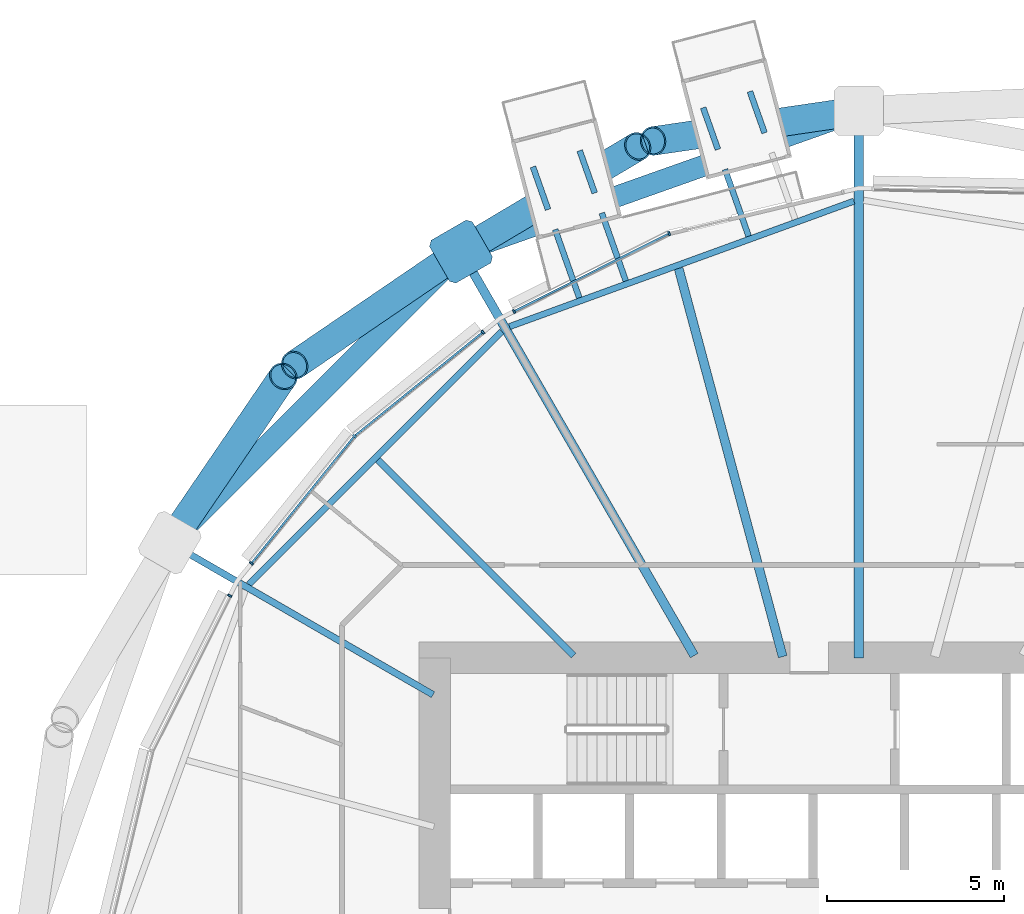
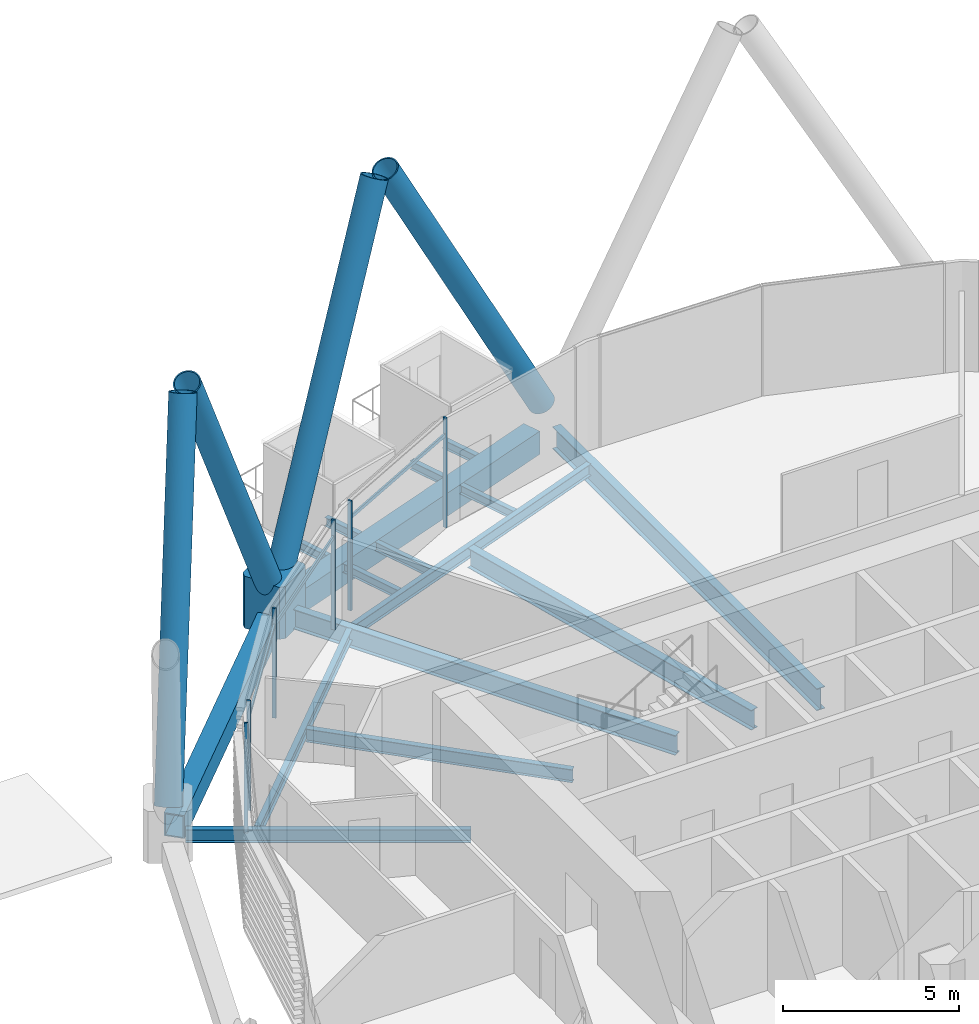
# One storey, part 18 of 34: 16 beams, 14 members, 1 element without a shape of its own.
"""IFC4 building model written with IfcOpenShell, lengths in metres."""

from ifc_helpers import new_model, si_unit, direction, frame, origin, origin_2d, place, context, subcontext, project, spatial, polyline, rectangle, hollow_rectangle, hollow_circle, i_section, outline, extrude, material, material_profile, profile_set, type_object, element, aggregate, save


model = new_model("IFC4")

# Units and contexts
model_context = context("Model", 3, precision=1e-05, world=origin(), true_north=direction((0.0, 1.0)))
body_context = subcontext(model_context, "Body", "Model", "MODEL_VIEW")
ifc_project = project(units=[si_unit("LENGTHUNIT", "METRE"), si_unit("AREAUNIT", "SQUARE_METRE"), si_unit("VOLUMEUNIT", "CUBIC_METRE"), si_unit("PLANEANGLEUNIT", "RADIAN"), si_unit("MASSUNIT", "GRAM", prefix="KILO")], contexts=[model_context])

# Site, building, storey
site_placement = place(None, origin())
site = spatial("IfcSite", under=ifc_project, at=site_placement, CompositionType="ELEMENT")
building_placement = place(site_placement, origin())
building = spatial("IfcBuilding", under=site, at=building_placement, Name="Rimbun Link Towers", CompositionType="ELEMENT")
storey_placement = place(building_placement, frame((0.0, 0.0, 41.39990234375)))
storey = spatial("IfcBuildingStorey", under=building, at=storey_placement, Name="L09", CompositionType="ELEMENT", Elevation=41.39990234375)

# Curtain wall, members
ifc_material_1 = material(Name="Aluminium 6063-T6 and low-iron glass", Category="aluminium")
curtain_wall_type = type_object("IfcCurtainWallType", Name="CW1 unitised vision wall", PredefinedType="NOTDEFINED", material=ifc_material_1)
curtain_wall_placement = place(storey_placement, origin())
curtain_wall = element("IfcCurtainWall", 1, at=curtain_wall_placement, inside=storey, type_object=curtain_wall_type, Name="CW1 L09 T2", PredefinedType="NOTDEFINED")
ifc_material_2 = material(Name="Aluminium 6063-T6", Category="aluminium")
ifc_material_profile_1 = material_profile(ifc_material_2, rectangle(XDim=0.1201171875, YDim=0.06005859375, at=origin_2d()), Name="MULLION 60X120")
ifc_profile_set_1 = profile_set([ifc_material_profile_1], Name="Aluminium 6063-T6")
member_type_1 = type_object("IfcMemberType", Name="CW1 mullion 60X120", PredefinedType="MULLION", material=ifc_profile_set_1)
member_1_placement = place(storey_placement, frame((26.383056640625, 20.009521484375, 0.0), z_axis=(0.0, 0.0, 1.0), x_axis=(-0.342965819961, 0.939347883555, 0.0)))
member_1 = element("IfcMember", 2, at=member_1_placement, type_object=member_type_1, Name="CW1 mullion", PredefinedType="MULLION", context=body_context, shape_type="SweptSolid", body=[
    extrude(rectangle(XDim=0.1201171875, YDim=0.06005859375, at=origin_2d()), origin(), (0.0, 0.0, 1.0), 3.800048828125),
])
member_2_placement = place(storey_placement, frame((21.992919921875, 17.805419921875, 0.0), z_axis=(0.0, 0.0, 1.0), x_axis=(-0.448766443776, 0.893649080423, 0.0)))
member_2 = element("IfcMember", 3, at=member_2_placement, type_object=member_type_1, Name="CW1 mullion", PredefinedType="MULLION", context=body_context, shape_type="SweptSolid", body=[
    extrude(rectangle(XDim=0.1201171875, YDim=0.06005859375, at=origin_2d()), origin(), (0.0, 0.0, 1.0), 3.800048828125),
])
member_3_placement = place(storey_placement, frame((17.475830078125, 14.274169921875, 0.0), z_axis=(0.0, 0.0, 1.0), x_axis=(-0.707106781187, 0.707106781187, 0.0)))
member_3 = element("IfcMember", 4, at=member_3_placement, type_object=member_type_1, Name="CW1 mullion", PredefinedType="MULLION", context=body_context, shape_type="SweptSolid", body=[
    extrude(rectangle(XDim=0.1201171875, YDim=0.06005859375, at=origin_2d()), origin(), (0.0, 0.0, 1.0), 3.800048828125),
])
member_4_placement = place(storey_placement, frame((21.113525390625, 17.218994140625, 0.0), z_axis=(0.0, 0.0, 1.0), x_axis=(-0.629154590729, 0.777280194631, 0.0)))
member_4 = element("IfcMember", 5, at=member_4_placement, type_object=member_type_1, Name="CW1 mullion", PredefinedType="MULLION", context=body_context, shape_type="SweptSolid", body=[
    extrude(rectangle(XDim=0.1201171875, YDim=0.06005859375, at=origin_2d()), origin(), (0.0, 0.0, 1.0), 3.800048828125),
])
member_5_placement = place(storey_placement, frame((14.5625, 10.67529296875, 0.0), z_axis=(0.0, 0.0, 1.0), x_axis=(-0.777280194631, 0.629154590729, 0.0)))
member_5 = element("IfcMember", 6, at=member_5_placement, type_object=member_type_1, Name="CW1 mullion", PredefinedType="MULLION", context=body_context, shape_type="SweptSolid", body=[
    extrude(rectangle(XDim=0.1201171875, YDim=0.06005859375, at=origin_2d()), origin(), (0.0, 0.0, 1.0), 3.800048828125),
])
member_6_placement = place(storey_placement, frame((13.944580078125, 9.757080078125, 0.0), z_axis=(0.0, 0.0, 1.0), x_axis=(-0.893649080423, 0.448766443776, 0.0)))
member_6 = element("IfcMember", 7, at=member_6_placement, type_object=member_type_1, Name="CW1 mullion", PredefinedType="MULLION", context=body_context, shape_type="SweptSolid", body=[
    extrude(rectangle(XDim=0.1201171875, YDim=0.06005859375, at=origin_2d()), origin(), (0.0, 0.0, 1.0), 3.800048828125),
])
ifc_material_3 = material(Name="Aluminium 6063-T6", Category="aluminium")
ifc_material_profile_2 = material_profile(ifc_material_3, rectangle(XDim=0.06005859375, YDim=0.1201171875, at=origin_2d()), Name="TRANSOM 60X120")
ifc_profile_set_2 = profile_set([ifc_material_profile_2], Name="Aluminium 6063-T6")
member_type_2 = type_object("IfcMemberType", Name="CW1 transom 60X120", PredefinedType="USERDEFINED", material=ifc_profile_set_2)
member_7_placement = place(storey_placement, frame((22.0205078125, 17.817138671875, 3.2001953125), z_axis=(0.893670146063, 0.448724492351, 0.0), x_axis=(-0.448724492351, 0.893670146063, 0.0)))
member_7 = element("IfcMember", 8, at=member_7_placement, type_object=member_type_2, Name="CW1 transom", ObjectType="TRANSOM", PredefinedType="USERDEFINED", context=body_context, shape_type="SweptSolid", body=[
    extrude(rectangle(XDim=0.06005859375, YDim=0.1201171875, at=origin_2d()), origin(), (0.0, 0.0, 1.0), 4.845458984375),
])
member_8_placement = place(storey_placement, frame((17.505126953125, 14.295654296875, 3.2001953125), z_axis=(0.777273212237, 0.629163216931, 0.0), x_axis=(-0.629163216931, 0.777273212237, 0.0)))
member_8 = element("IfcMember", 9, at=member_8_placement, type_object=member_type_2, Name="CW1 transom", ObjectType="TRANSOM", PredefinedType="USERDEFINED", context=body_context, shape_type="SweptSolid", body=[
    extrude(rectangle(XDim=0.06005859375, YDim=0.1201171875, at=origin_2d()), origin(), (0.0, 0.0, 1.0), 4.61376953125),
])
member_9_placement = place(storey_placement, frame((14.5830078125, 10.697509765625, 3.2001953125), z_axis=(0.629153599688, 0.777280996809, 0.0), x_axis=(-0.777280996809, 0.629153599688, 0.0)))
member_9 = element("IfcMember", 10, at=member_9_placement, type_object=member_type_2, Name="CW1 transom", ObjectType="TRANSOM", PredefinedType="USERDEFINED", context=body_context, shape_type="SweptSolid", body=[
    extrude(rectangle(XDim=0.06005859375, YDim=0.1201171875, at=origin_2d()), origin(), (0.0, 0.0, 1.0), 4.563720703125),
])
aggregate(curtain_wall, [member_1, member_2, member_3, member_4, member_5, member_6, member_7, member_8, member_9])

# Beams
ifc_material_4 = material(Name="Steel S355J2", Category="steel")
ifc_material_profile_3 = material_profile(ifc_material_4, i_section(OverallWidth=0.1650390625, OverallDepth=0.303466796875, WebThickness=0.006103515625, FlangeThickness=0.01025390625, at=origin_2d()), Name="UB 305x165x40")
ifc_profile_set_3 = profile_set([ifc_material_profile_3], Name="Steel S355J2")
beam_type_1 = type_object("IfcBeamType", Name="Capsule bracket beam UB 305x165x40", PredefinedType="BEAM", material=ifc_profile_set_3)
beam_1_placement = place(storey_placement, frame((23.841796875, 18.189208984375, -0.3115234375), z_axis=(-0.333598177388, 0.942715363216, 0.0), x_axis=(-0.942715363216, -0.333598177388, 0.0)))
element("IfcBeam", 11, at=beam_1_placement, inside=storey, type_object=beam_type_1, Name="Capsule D092.01 bracket beam 1", PredefinedType="BEAM", context=body_context, shape_type="SweptSolid", body=[
    extrude(i_section(OverallWidth=0.1650390625, OverallDepth=0.303466796875, WebThickness=0.006103515625, FlangeThickness=0.01025390625, at=origin_2d()), origin(), (0.0, 0.0, 1.0), 2.05126953125),
])
beam_2_placement = place(storey_placement, frame((22.957275390625, 20.688720703125, -0.3115234375), z_axis=(-0.33342763897, 0.942775694198, 0.0), x_axis=(-0.942775694198, -0.33342763897, 0.0)))
element("IfcBeam", 12, at=beam_2_placement, inside=storey, type_object=beam_type_1, Name="Capsule D092.01 bracket beam 2", PredefinedType="BEAM", context=body_context, shape_type="SweptSolid", body=[
    extrude(i_section(OverallWidth=0.1650390625, OverallDepth=0.303466796875, WebThickness=0.006103515625, FlangeThickness=0.01025390625, at=origin_2d()), origin(), (0.0, 0.0, 1.0), 1.2822265625),
])
beam_3_placement = place(storey_placement, frame((25.157470703125, 18.66845703125, -0.3115234375), z_axis=(-0.333671988777, 0.942689240368, 0.0), x_axis=(-0.942689240368, -0.333671988777, 0.0)))
element("IfcBeam", 13, at=beam_3_placement, inside=storey, type_object=beam_type_1, Name="Capsule D092.01 bracket beam 3", PredefinedType="BEAM", context=body_context, shape_type="SweptSolid", body=[
    extrude(i_section(OverallWidth=0.1650390625, OverallDepth=0.303466796875, WebThickness=0.006103515625, FlangeThickness=0.01025390625, at=origin_2d()), origin(), (0.0, 0.0, 1.0), 2.03857421875),
])
beam_4_placement = place(storey_placement, frame((24.277099609375, 21.15576171875, -0.3115234375), z_axis=(-0.333591749484, 0.94271763783, 0.0), x_axis=(-0.94271763783, -0.333591749484, 0.0)))
element("IfcBeam", 14, at=beam_4_placement, inside=storey, type_object=beam_type_1, Name="Capsule D092.01 bracket beam 4", PredefinedType="BEAM", context=body_context, shape_type="SweptSolid", body=[
    extrude(i_section(OverallWidth=0.1650390625, OverallDepth=0.303466796875, WebThickness=0.006103515625, FlangeThickness=0.01025390625, at=origin_2d()), origin(), (0.0, 0.0, 1.0), 1.274169921875),
])
beam_5_placement = place(storey_placement, frame((28.634033203125, 19.9345703125, -0.3115234375), z_axis=(-0.333565329522, 0.942726986429, 0.0), x_axis=(-0.942726986429, -0.333565329522, 0.0)))
element("IfcBeam", 15, at=beam_5_placement, inside=storey, type_object=beam_type_1, Name="Capsule D092.02 bracket beam 1", PredefinedType="BEAM", context=body_context, shape_type="SweptSolid", body=[
    extrude(i_section(OverallWidth=0.1650390625, OverallDepth=0.303466796875, WebThickness=0.006103515625, FlangeThickness=0.01025390625, at=origin_2d()), origin(), (0.0, 0.0, 1.0), 2.004638671875),
])
beam_6_placement = place(storey_placement, frame((27.76513671875, 22.39013671875, -0.3115234375), z_axis=(-0.333594635689, 0.942716616508, 0.0), x_axis=(-0.942716616508, -0.333594635689, 0.0)))
element("IfcBeam", 16, at=beam_6_placement, inside=storey, type_object=beam_type_1, Name="Capsule D092.02 bracket beam 2", PredefinedType="BEAM", context=body_context, shape_type="SweptSolid", body=[
    extrude(i_section(OverallWidth=0.1650390625, OverallDepth=0.303466796875, WebThickness=0.006103515625, FlangeThickness=0.01025390625, at=origin_2d()), origin(), (0.0, 0.0, 1.0), 1.2529296875),
])
beam_7_placement = place(storey_placement, frame((29.0849609375, 22.857177734375, -0.3115234375), z_axis=(-0.333589376029, 0.942718477702, 0.0), x_axis=(-0.942718477702, -0.333589376029, 0.0)))
element("IfcBeam", 17, at=beam_7_placement, inside=storey, type_object=beam_type_1, Name="Capsule D092.02 bracket beam 4", PredefinedType="BEAM", context=body_context, shape_type="SweptSolid", body=[
    extrude(i_section(OverallWidth=0.1650390625, OverallDepth=0.303466796875, WebThickness=0.006103515625, FlangeThickness=0.01025390625, at=origin_2d()), origin(), (0.0, 0.0, 1.0), 1.244873046875),
])

# Members
ifc_material_5 = material(Name="Steel S460NH", Category="steel")
ifc_material_profile_4 = material_profile(ifc_material_5, hollow_circle(Radius=0.406494140625, WallThickness=0.0400390625, at=origin_2d()), Name="Diagrid diagonal CHS 813x40")
ifc_profile_set_4 = profile_set([ifc_material_profile_4], Name="Steel S460NH")
member_type_3 = type_object("IfcMemberType", Name="Diagrid diagonal CHS 813x40", PredefinedType="BRACE", material=ifc_profile_set_4)
member_10_placement = place(storey_placement, frame((31.51611328125, 23.447509765625, 0.440673828125), z_axis=(-0.467941502271, -0.06854907419, 0.881096915714), x_axis=(0.144943734876, -0.989439898994, 0.0)))
element("IfcMember", 18, at=member_10_placement, inside=storey, type_object=member_type_3, Name="Diagrid diagonal T2 L09-L12 03b", PredefinedType="BRACE", context=body_context, shape_type="SweptSolid", body=[
    extrude(hollow_circle(Radius=0.406494140625, WallThickness=0.0400390625, at=origin_2d()), origin(), (0.0, 0.0, 1.0), 11.938232421875),
])
member_11_placement = place(storey_placement, frame((20.694091796875, 19.6181640625, 0.441650390625), z_axis=(0.403085764575, 0.239911989067, 0.883155764233), x_axis=(-0.511452355686, 0.859311636057, 0.0)))
element("IfcMember", 19, at=member_11_placement, inside=storey, type_object=member_type_3, Name="Diagrid diagonal T2 L09-L12 05a", PredefinedType="BRACE", context=body_context, shape_type="SweptSolid", body=[
    extrude(hollow_circle(Radius=0.406494140625, WallThickness=0.0400390625, at=origin_2d()), origin(), (0.0, 0.0, 1.0), 11.908203125),
])
for number, where, z_axis, x_axis, name in (
    (20, (20.302001953125, 19.368408203125, 0.443603515625), (-0.381258215634, -0.260057411432, 0.887137145976), (0.563497494736, -0.826117772129, 0.0), "Diagrid diagonal T2 L09-L12 05b"),
    (21, (12.381591796875, 11.447998046875, 0.443603515625), (0.260057411432, 0.381258215634, 0.887137145976), (-0.826117772129, 0.563497494736, 0.0), "Diagrid diagonal T2 L09-L12 07a"),
):
    element("IfcMember", number, at=place(storey_placement, frame(where, z_axis=z_axis, x_axis=x_axis)), inside=storey, type_object=member_type_3, Name=name, PredefinedType="BRACE", context=body_context, shape_type="SweptSolid", body=[
        extrude(hollow_circle(Radius=0.406494140625, WallThickness=0.0400390625, at=origin_2d()), origin(), (0.0, 0.0, 1.0), 11.850341796875),
    ])
ifc_material_6 = material(Name="Cast steel G20Mn5+QT, Rp0.2 300 MPa", Category="steel")
ifc_material_profile_5 = material_profile(ifc_material_6, outline(polyline([(0.699951171875, -0.570068359375), (0.699951171875, 0.570068359375), (0.570068359375, 0.699951171875), (-0.570068359375, 0.699951171875), (-0.699951171875, 0.570068359375), (-0.699951171875, -0.570068359375), (-0.570068359375, -0.699951171875), (0.570068359375, -0.699951171875), (0.699951171875, -0.570068359375)])), Name="NODE 1400x1400")
ifc_profile_set_5 = profile_set([ifc_material_profile_5], Name="Cast steel G20Mn5+QT, Rp0.2 300 MPa")
member_type_4 = type_object("IfcMemberType", Name="Diagrid node cast 1400", PredefinedType="USERDEFINED", material=ifc_profile_set_5)
member_12_placement = place(storey_placement, frame((20.49267578125, 19.498291015625, -0.89990234375), z_axis=(0.0, 0.0, 1.0), x_axis=(-0.5, 0.866025403784, 0.0)))
element("IfcMember", 22, at=member_12_placement, inside=storey, type_object=member_type_4, Name="Diagrid node L09 05", ObjectType="Diagrid node", PredefinedType="USERDEFINED", context=body_context, shape_type="SweptSolid", body=[
    extrude(outline(polyline([(0.699951171875, -0.570068359375), (0.699951171875, 0.570068359375), (0.570068359375, 0.699951171875), (-0.570068359375, 0.699951171875), (-0.699951171875, 0.570068359375), (-0.699951171875, -0.570068359375), (-0.570068359375, -0.699951171875), (0.570068359375, -0.699951171875), (0.699951171875, -0.570068359375)])), origin(), (0.0, 0.0, 1.0), 1.800048828125),
])

# Beams
ifc_material_7 = material(Name="Steel S355J2", Category="steel")
ifc_material_profile_6 = material_profile(ifc_material_7, hollow_rectangle(XDim=0.60009765625, YDim=0.800048828125, WallThickness=0.0400390625, at=origin_2d()), Name="Exoskeleton ring girder BOX 600x800x40")
ifc_profile_set_6 = profile_set([ifc_material_profile_6], Name="Steel S355J2")
beam_type_2 = type_object("IfcBeamType", Name="Exoskeleton ring girder BOX 600x800x40", PredefinedType="BEAM", material=ifc_profile_set_6)
beam_8_placement = place(storey_placement, frame((31.090087890625, 23.248291015625, -0.559814453125), z_axis=(-0.942714653334, -0.333600183437, 0.0), x_axis=(0.333600183437, -0.942714653334, 0.0)))
element("IfcBeam", 23, at=beam_8_placement, inside=storey, type_object=beam_type_2, Name="Exoskeleton ring girder L09 01", PredefinedType="BEAM", context=body_context, shape_type="SweptSolid", body=[
    extrude(hollow_rectangle(XDim=0.60009765625, YDim=0.800048828125, WallThickness=0.0400390625, at=origin_2d()), origin(), (0.0, 0.0, 1.0), 10.541259765625),
])
beam_9_placement = place(storey_placement, frame((19.99755859375, 19.00341796875, -0.559814453125), z_axis=(-0.707106781187, -0.707106781187, 0.0), x_axis=(0.707106781187, -0.707106781187, 0.0)))
element("IfcBeam", 24, at=beam_9_placement, inside=storey, type_object=beam_type_2, Name="Exoskeleton ring girder L09 02", PredefinedType="BEAM", context=body_context, shape_type="SweptSolid", body=[
    extrude(hollow_rectangle(XDim=0.60009765625, YDim=0.800048828125, WallThickness=0.0400390625, at=origin_2d()), origin(), (0.0, 0.0, 1.0), 10.25439453125),
])
ifc_material_8 = material(Name="Steel S355J2", Category="steel")
ifc_material_profile_7 = material_profile(ifc_material_8, i_section(OverallWidth=0.177978515625, OverallDepth=0.406494140625, WebThickness=0.0078125, FlangeThickness=0.0126953125, at=origin_2d()), Name="UB 406x178x60")
ifc_profile_set_7 = profile_set([ifc_material_profile_7], Name="Steel S355J2")
beam_type_3 = type_object("IfcBeamType", Name="UB 406x178x60", PredefinedType="BEAM", material=ifc_profile_set_7)
beam_10_placement = place(storey_placement, frame((31.61572265625, 20.92578125, -0.363037109375), z_axis=(-0.939622933255, -0.342211547585, 0.0), x_axis=(0.342211547585, -0.939622933255, 0.0)))
element("IfcBeam", 25, at=beam_10_placement, inside=storey, type_object=beam_type_3, Name="Edge beam T2 L09 03-05", PredefinedType="BEAM", context=body_context, shape_type="SweptSolid", body=[
    extrude(i_section(OverallWidth=0.177978515625, OverallDepth=0.406494140625, WebThickness=0.0078125, FlangeThickness=0.0126953125, at=origin_2d()), origin(), (0.0, 0.0, 1.0), 10.3759765625),
])
beam_11_placement = place(storey_placement, frame((21.650634765625, 17.237060546875, -0.363037109375), z_axis=(-0.707106781187, -0.707106781187, 0.0), x_axis=(0.707106781187, -0.707106781187, 0.0)))
element("IfcBeam", 26, at=beam_11_placement, inside=storey, type_object=beam_type_3, Name="Edge beam T2 L09 05-07", PredefinedType="BEAM", context=body_context, shape_type="SweptSolid", body=[
    extrude(i_section(OverallWidth=0.177978515625, OverallDepth=0.406494140625, WebThickness=0.0078125, FlangeThickness=0.0126953125, at=origin_2d()), origin(), (0.0, 0.0, 1.0), 10.12744140625),
])
ifc_material_9 = material(Name="Steel S355J2", Category="steel")
ifc_material_profile_8 = material_profile(ifc_material_9, i_section(OverallWidth=0.18994140625, OverallDepth=0.453369140625, WebThickness=0.008544921875, FlangeThickness=0.0126953125, at=origin_2d()), Name="UB 457x191x67")
ifc_profile_set_8 = profile_set([ifc_material_profile_8], Name="Steel S355J2")
beam_type_4 = type_object("IfcBeamType", Name="UB 457x191x67", PredefinedType="BEAM", material=ifc_profile_set_8)
beam_12_placement = place(storey_placement, frame((23.68212890625, 8.06787109375, -0.38671875), z_axis=(-0.707106781187, 0.707106781187, 0.0), x_axis=(-0.707106781187, -0.707106781187, 0.0)))
element("IfcBeam", 27, at=beam_12_placement, inside=storey, type_object=beam_type_4, Name="Radial beam T2 L09 06", PredefinedType="BEAM", context=body_context, shape_type="SweptSolid", body=[
    extrude(i_section(OverallWidth=0.18994140625, OverallDepth=0.453369140625, WebThickness=0.008544921875, FlangeThickness=0.0126953125, at=origin_2d()), origin(), (0.0, 0.0, 1.0), 7.830078125),
])
beam_13_placement = place(storey_placement, frame((19.70166015625, 6.956298828125, -0.38671875), z_axis=(-0.866033546558, 0.499985896038, 0.0), x_axis=(-0.499985896038, -0.866033546558, 0.0)))
element("IfcBeam", 28, at=beam_13_placement, inside=storey, type_object=beam_type_4, Name="Radial beam T2 L09 07", PredefinedType="BEAM", context=body_context, shape_type="SweptSolid", body=[
    extrude(i_section(OverallWidth=0.18994140625, OverallDepth=0.453369140625, WebThickness=0.008544921875, FlangeThickness=0.0126953125, at=origin_2d()), origin(), (0.0, 0.0, 1.0), 8.102294921875),
])
ifc_material_10 = material(Name="Steel S355J2", Category="steel")
ifc_material_profile_9 = material_profile(ifc_material_10, i_section(OverallWidth=0.253662109375, OverallDepth=0.68359375, WebThickness=0.012451171875, FlangeThickness=0.01904296875, at=origin_2d()), Name="UB 686x254x140")
ifc_profile_set_9 = profile_set([ifc_material_profile_9], Name="Steel S355J2")
beam_type_5 = type_object("IfcBeamType", Name="UB 686x254x140", PredefinedType="BEAM", material=ifc_profile_set_9)
beam_14_placement = place(storey_placement, frame((29.597412109375, 8.03369140625, -0.501708984375), z_axis=(-0.25882583061, 0.965924008092, 0.0), x_axis=(-0.965924008092, -0.25882583061, 0.0)))
element("IfcBeam", 29, at=beam_14_placement, inside=storey, type_object=beam_type_5, Name="Radial beam T2 L09 04", PredefinedType="BEAM", context=body_context, shape_type="SweptSolid", body=[
    extrude(i_section(OverallWidth=0.253662109375, OverallDepth=0.68359375, WebThickness=0.012451171875, FlangeThickness=0.01904296875, at=origin_2d()), origin(), (0.0, 0.0, 1.0), 11.376708984375),
])
beam_15_placement = place(storey_placement, frame((27.093994140625, 8.064208984375, -0.501708984375), z_axis=(-0.499994189038, 0.866028758719, 0.0), x_axis=(-0.866028758719, -0.499994189038, 0.0)))
element("IfcBeam", 30, at=beam_15_placement, inside=storey, type_object=beam_type_5, Name="Radial beam T2 L09 05", PredefinedType="BEAM", context=body_context, shape_type="SweptSolid", body=[
    extrude(i_section(OverallWidth=0.253662109375, OverallDepth=0.68359375, WebThickness=0.012451171875, FlangeThickness=0.01904296875, at=origin_2d()), origin(), (0.0, 0.0, 1.0), 12.702880859375),
])
ifc_material_11 = material(Name="Steel S355J2", Category="steel")
ifc_material_profile_10 = material_profile(ifc_material_11, i_section(OverallWidth=0.2666015625, OverallDepth=0.76220703125, WebThickness=0.014404296875, FlangeThickness=0.021484375, at=origin_2d()), Name="UB 762x267x173")
ifc_profile_set_10 = profile_set([ifc_material_profile_10], Name="Steel S355J2")
beam_type_6 = type_object("IfcBeamType", Name="UB 762x267x173", PredefinedType="BEAM", material=ifc_profile_set_10)
beam_16_placement = place(storey_placement, frame((31.75, 8.0009765625, -0.541015625), z_axis=(0.0, 1.0, 0.0), x_axis=(-1.0, 0.0, 0.0)))
element("IfcBeam", 31, at=beam_16_placement, inside=storey, type_object=beam_type_6, Name="Radial beam T2 L09 03", PredefinedType="BEAM", context=body_context, shape_type="SweptSolid", body=[
    extrude(i_section(OverallWidth=0.2666015625, OverallDepth=0.76220703125, WebThickness=0.014404296875, FlangeThickness=0.021484375, at=origin_2d()), origin(), (0.0, 0.0, 1.0), 14.98095703125),
])

save(model, "model.ifc")
